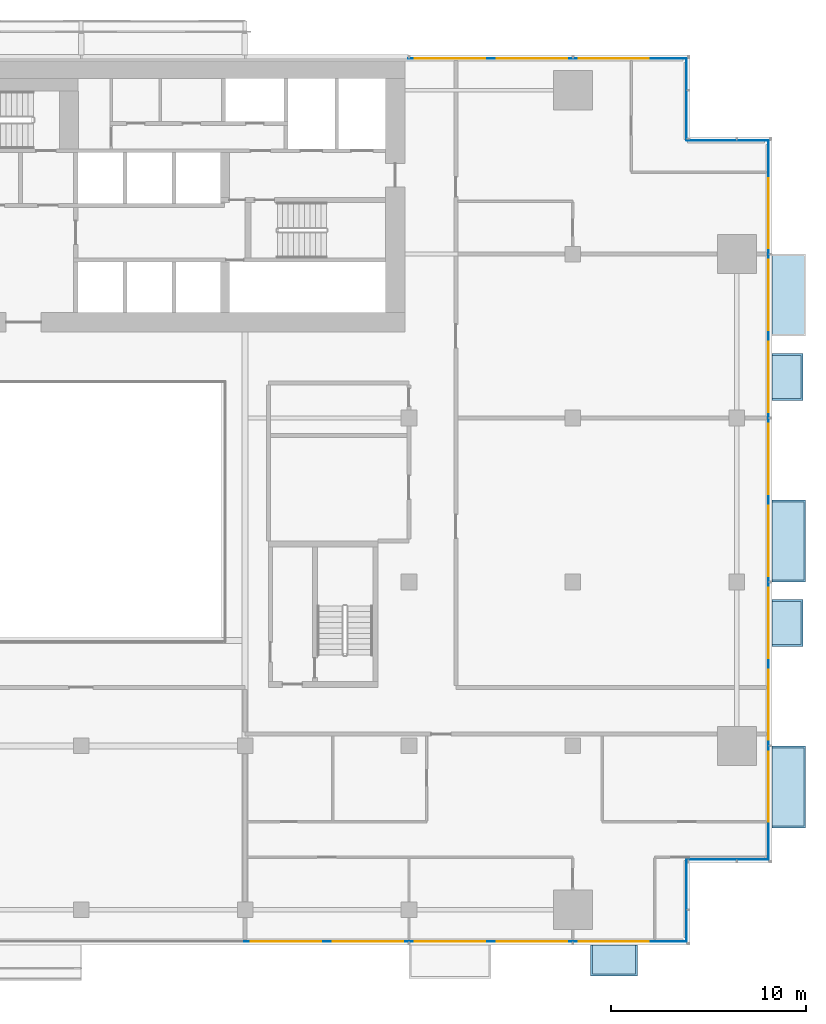
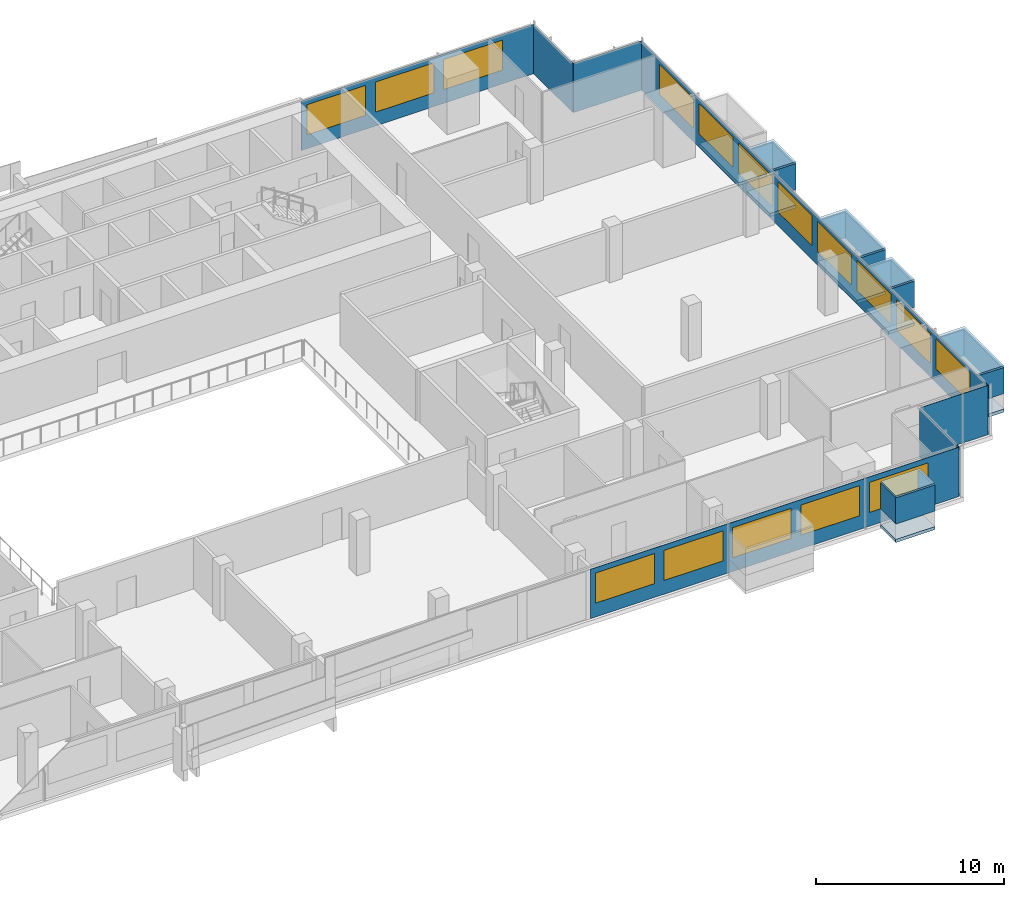
# One storey, part 16 of 26: 17 plates, 16 windows, 6 slabs, 16 openings, 7 elements without a shape of their own.
"""IFC4 building model written with IfcOpenShell, lengths in metres."""

from ifc_helpers import new_model, si_unit, direction, frame, frame_2d, origin, place, context, subcontext, project, spatial, polyline, rectangle, outline, extrude, material, layer, layer_set, type_object, element, fill, aggregate, save


model = new_model("IFC4")

# Units and contexts
model_context = context("Model", 3, precision=1e-05, world=origin(), true_north=direction((0.0, 1.0)))
body_context = subcontext(model_context, "Body", "Model", "MODEL_VIEW")
ifc_project = project(units=[si_unit("LENGTHUNIT", "METRE"), si_unit("AREAUNIT", "SQUARE_METRE"), si_unit("VOLUMEUNIT", "CUBIC_METRE"), si_unit("PLANEANGLEUNIT", "RADIAN"), si_unit("MASSUNIT", "GRAM", prefix="KILO")], contexts=[model_context])

# Site, building, storey
site_placement = place(None, origin())
site = spatial("IfcSite", under=ifc_project, at=site_placement, CompositionType="ELEMENT")
building_placement = place(site_placement, origin())
building = spatial("IfcBuilding", under=site, at=building_placement, Name="Saffron Gate Tower", CompositionType="ELEMENT")
storey_placement = place(building_placement, frame((0.0, 0.0, 98.85009765625)))
storey = spatial("IfcBuildingStorey", under=building, at=storey_placement, Name="L22", CompositionType="ELEMENT", Elevation=98.85009765625)

# Curtain wall, plate, openings, windows
ifc_material_1 = material(Name="Aluminium, bronze anodised", Category="aluminium")
curtain_wall_type_1 = type_object("IfcCurtainWallType", Name="CWS1 curtain wall front facade", PredefinedType="NOTDEFINED", material=ifc_material_1)
curtain_wall_1_placement = place(storey_placement, origin())
curtain_wall_1 = element("IfcCurtainWall", 1, at=curtain_wall_1_placement, inside=storey, type_object=curtain_wall_type_1, Name="CWS1 run 1", PredefinedType="NOTDEFINED")
ifc_material_2 = material(Name="Fritted bronze-tinted laminated glass", Category="glass")
ifc_layer_1 = layer(ifc_material_2, 0.028076171875)
ifc_layer_set_1 = layer_set([ifc_layer_1], Name="CWS1 fixed glass")
plate_type_1 = type_object("IfcPlateType", Name="CWS1 fixed glass", PredefinedType="CURTAIN_PANEL", material=ifc_layer_set_1)
plate_1_placement = place(storey_placement, frame((100.169921875, 30.174072265625, 0.0), z_axis=(0.0, 0.0, 1.0), x_axis=(1.0, 0.0, 0.0)))
plate_1 = element("IfcPlate", 2, at=plate_1_placement, type_object=plate_type_1, Name="CWS1 glass panel", PredefinedType="CURTAIN_PANEL", context=body_context, shape_type="SweptSolid", body=[
    extrude(rectangle(XDim=22.64208984375, YDim=0.028076171875, at=frame_2d((11.321044921875, 0.0))), origin(), (0.0, 0.0, 1.0), 3.199951171875),
])
opening_1_placement = place(plate_1_placement, frame((0.330078125, 0.0, 0.89990234375)))
opening_1 = element("IfcOpeningElement", 3, at=opening_1_placement, cuts=plate_1, Name="Opening W1", PredefinedType="OPENING", context=body_context, shape_type="SweptSolid", body=[
    extrude(rectangle(XDim=3.60009765625, YDim=1.949951171875, at=frame_2d((1.800048828125, 0.97509765625))), frame((0.0, 0.02392578125, 0.0), z_axis=(0.0, -1.0, 0.0), x_axis=(1.0, 0.0, 0.0)), (0.0, 0.0, 1.0), 0.048095703125),
])
opening_2_placement = place(plate_1_placement, frame((4.530029296875, 0.0, 0.89990234375)))
opening_2 = element("IfcOpeningElement", 4, at=opening_2_placement, cuts=plate_1, Name="Opening W1", PredefinedType="OPENING", context=body_context, shape_type="SweptSolid", body=[
    extrude(rectangle(XDim=3.60009765625, YDim=1.949951171875, at=frame_2d((1.800048828125, 0.97509765625))), frame((0.0, 0.02392578125, 0.0), z_axis=(0.0, -1.0, 0.0), x_axis=(1.0, 0.0, 0.0)), (0.0, 0.0, 1.0), 0.048095703125),
])
opening_3_placement = place(plate_1_placement, frame((8.72998046875, 0.0, 0.89990234375)))
opening_3 = element("IfcOpeningElement", 5, at=opening_3_placement, cuts=plate_1, Name="Opening W1", PredefinedType="OPENING", context=body_context, shape_type="SweptSolid", body=[
    extrude(rectangle(XDim=3.60009765625, YDim=1.949951171875, at=frame_2d((1.800048828125, 0.97509765625))), frame((0.0, 0.02392578125, 0.0), z_axis=(0.0, -1.0, 0.0), x_axis=(1.0, 0.0, 0.0)), (0.0, 0.0, 1.0), 0.048095703125),
])
opening_4_placement = place(plate_1_placement, frame((12.929931640625, 0.0, 0.89990234375)))
opening_4 = element("IfcOpeningElement", 6, at=opening_4_placement, cuts=plate_1, Name="Opening W1", PredefinedType="OPENING", context=body_context, shape_type="SweptSolid", body=[
    extrude(rectangle(XDim=3.60009765625, YDim=1.949951171875, at=frame_2d((1.800048828125, 0.97509765625))), frame((0.0, 0.02392578125, 0.0), z_axis=(0.0, -1.0, 0.0), x_axis=(1.0, 0.0, 0.0)), (0.0, 0.0, 1.0), 0.048095703125),
])
opening_5_placement = place(plate_1_placement, frame((17.1298828125, 0.0, 0.89990234375)))
opening_5 = element("IfcOpeningElement", 7, at=opening_5_placement, cuts=plate_1, Name="Opening W1", PredefinedType="OPENING", context=body_context, shape_type="SweptSolid", body=[
    extrude(rectangle(XDim=3.60009765625, YDim=1.949951171875, at=frame_2d((1.800048828125, 0.97509765625))), frame((0.0, 0.02392578125, 0.0), z_axis=(0.0, -1.0, 0.0), x_axis=(1.0, 0.0, 0.0)), (0.0, 0.0, 1.0), 0.048095703125),
])
ifc_material_3 = material(Name="Fritted bronze-tinted laminated glass in bronze frame", Category="glass")
ifc_layer_2 = layer(ifc_material_3, 0.06005859375)
ifc_layer_set_2 = layer_set([ifc_layer_2], Name="W1 operable panel 3600x1950")
window_type = type_object("IfcWindowType", Name="W1 operable panel 3600x1950", PartitioningType="DOUBLE_PANEL_HORIZONTAL", PredefinedType="WINDOW", material=ifc_layer_set_2)
window_1_placement = place(opening_1_placement, origin())
window_1 = element("IfcWindow", 8, at=window_1_placement, type_object=window_type, Name="W1 operable panel", OverallHeight=1.949951171875, OverallWidth=3.60009765625, PartitioningType="SINGLE_PANEL", PredefinedType="WINDOW", context=body_context, shape_type="SweptSolid", body=[
    extrude(rectangle(XDim=3.60009765625, YDim=1.949951171875, at=frame_2d((1.800048828125, 0.97509765625))), frame((0.0, 0.013671875, 0.0), z_axis=(0.0, -1.0, 0.0), x_axis=(1.0, 0.0, 0.0)), (0.0, 0.0, 1.0), 0.027587890625),
])
fill(opening_1, window_1)
window_2_placement = place(opening_2_placement, origin())
window_2 = element("IfcWindow", 9, at=window_2_placement, type_object=window_type, Name="W1 operable panel", OverallHeight=1.949951171875, OverallWidth=3.60009765625, PartitioningType="SINGLE_PANEL", PredefinedType="WINDOW", context=body_context, shape_type="SweptSolid", body=[
    extrude(rectangle(XDim=3.60009765625, YDim=1.949951171875, at=frame_2d((1.800048828125, 0.97509765625))), frame((0.0, 0.013671875, 0.0), z_axis=(0.0, -1.0, 0.0), x_axis=(1.0, 0.0, 0.0)), (0.0, 0.0, 1.0), 0.027587890625),
])
fill(opening_2, window_2)
window_3_placement = place(opening_3_placement, origin())
window_3 = element("IfcWindow", 10, at=window_3_placement, type_object=window_type, Name="W1 operable panel", OverallHeight=1.949951171875, OverallWidth=3.60009765625, PartitioningType="SINGLE_PANEL", PredefinedType="WINDOW", context=body_context, shape_type="SweptSolid", body=[
    extrude(rectangle(XDim=3.60009765625, YDim=1.949951171875, at=frame_2d((1.800048828125, 0.97509765625))), frame((0.0, 0.013671875, 0.0), z_axis=(0.0, -1.0, 0.0), x_axis=(1.0, 0.0, 0.0)), (0.0, 0.0, 1.0), 0.027587890625),
])
fill(opening_3, window_3)
window_4_placement = place(opening_4_placement, origin())
window_4 = element("IfcWindow", 11, at=window_4_placement, type_object=window_type, Name="W1 operable panel", OverallHeight=1.949951171875, OverallWidth=3.60009765625, PartitioningType="SINGLE_PANEL", PredefinedType="WINDOW", context=body_context, shape_type="SweptSolid", body=[
    extrude(rectangle(XDim=3.60009765625, YDim=1.949951171875, at=frame_2d((1.800048828125, 0.97509765625))), frame((0.0, 0.013671875, 0.0), z_axis=(0.0, -1.0, 0.0), x_axis=(1.0, 0.0, 0.0)), (0.0, 0.0, 1.0), 0.027587890625),
])
fill(opening_4, window_4)
window_5_placement = place(opening_5_placement, origin())
window_5 = element("IfcWindow", 12, at=window_5_placement, type_object=window_type, Name="W1 operable panel", OverallHeight=1.949951171875, OverallWidth=3.60009765625, PartitioningType="SINGLE_PANEL", PredefinedType="WINDOW", context=body_context, shape_type="SweptSolid", body=[
    extrude(rectangle(XDim=3.60009765625, YDim=1.949951171875, at=frame_2d((1.800048828125, 0.97509765625))), frame((0.0, 0.013671875, 0.0), z_axis=(0.0, -1.0, 0.0), x_axis=(1.0, 0.0, 0.0)), (0.0, 0.0, 1.0), 0.027587890625),
])
fill(opening_5, window_5)
aggregate(curtain_wall_1, [plate_1, window_1, window_2, window_3, window_4, window_5])

curtain_wall_type_2 = type_object("IfcCurtainWallType", Name="CWS2 curtain wall side facades", PredefinedType="NOTDEFINED", material=ifc_material_1)
curtain_wall_2_placement = place(storey_placement, origin())
curtain_wall_2 = element("IfcCurtainWall", 13, at=curtain_wall_2_placement, inside=storey, type_object=curtain_wall_type_2, Name="CWS2 run 4", PredefinedType="NOTDEFINED")
ifc_layer_3 = layer(ifc_material_2, 0.028076171875)
ifc_layer_set_3 = layer_set([ifc_layer_3], Name="CWS2 fixed glass")
plate_type_2 = type_object("IfcPlateType", Name="CWS2 fixed glass", PredefinedType="CURTAIN_PANEL", material=ifc_layer_set_3)
plate_2_placement = place(storey_placement, frame((127.02587890625, 34.387939453125, 0.0), z_axis=(0.0, 0.0, 1.0), x_axis=(0.0, 1.0, 0.0)))
plate_2 = element("IfcPlate", 14, at=plate_2_placement, type_object=plate_type_2, Name="CWS2 glass panel", PredefinedType="CURTAIN_PANEL", context=body_context, shape_type="SweptSolid", body=[
    extrude(rectangle(XDim=36.823974609375, YDim=0.028076171875, at=frame_2d((18.412109375, 0.0))), origin(), (0.0, 0.0, 1.0), 3.199951171875),
])
opening_6_placement = place(plate_2_placement, frame((1.912109375, 0.0, 0.89990234375)))
opening_6 = element("IfcOpeningElement", 15, at=opening_6_placement, cuts=plate_2, Name="Opening W1", PredefinedType="OPENING", context=body_context, shape_type="SweptSolid", body=[
    extrude(rectangle(XDim=3.60009765625, YDim=1.949951171875, at=frame_2d((1.800048828125, 0.97509765625))), frame((0.0, 0.02392578125, 0.0), z_axis=(0.0, -1.0, 0.0), x_axis=(1.0, 0.0, 0.0)), (0.0, 0.0, 1.0), 0.048095703125),
])
opening_7_placement = place(plate_2_placement, frame((6.112060546875, 0.0, 0.89990234375)))
opening_7 = element("IfcOpeningElement", 16, at=opening_7_placement, cuts=plate_2, Name="Opening W1", PredefinedType="OPENING", context=body_context, shape_type="SweptSolid", body=[
    extrude(rectangle(XDim=3.60009765625, YDim=1.949951171875, at=frame_2d((1.800048828125, 0.97509765625))), frame((0.0, 0.02392578125, 0.0), z_axis=(0.0, -1.0, 0.0), x_axis=(1.0, 0.0, 0.0)), (0.0, 0.0, 1.0), 0.048095703125),
])
opening_8_placement = place(plate_2_placement, frame((10.31201171875, 0.0, 0.89990234375)))
opening_8 = element("IfcOpeningElement", 17, at=opening_8_placement, cuts=plate_2, Name="Opening W1", PredefinedType="OPENING", context=body_context, shape_type="SweptSolid", body=[
    extrude(rectangle(XDim=3.60009765625, YDim=1.949951171875, at=frame_2d((1.800048828125, 0.97509765625))), frame((0.0, 0.02392578125, 0.0), z_axis=(0.0, -1.0, 0.0), x_axis=(1.0, 0.0, 0.0)), (0.0, 0.0, 1.0), 0.048095703125),
])
opening_9_placement = place(plate_2_placement, frame((14.511962890625, 0.0, 0.89990234375)))
opening_9 = element("IfcOpeningElement", 18, at=opening_9_placement, cuts=plate_2, Name="Opening W1", PredefinedType="OPENING", context=body_context, shape_type="SweptSolid", body=[
    extrude(rectangle(XDim=3.60009765625, YDim=1.949951171875, at=frame_2d((1.800048828125, 0.97509765625))), frame((0.0, 0.02392578125, 0.0), z_axis=(0.0, -1.0, 0.0), x_axis=(1.0, 0.0, 0.0)), (0.0, 0.0, 1.0), 0.048095703125),
])
opening_10_placement = place(plate_2_placement, frame((18.7119140625, 0.0, 0.89990234375)))
opening_10 = element("IfcOpeningElement", 19, at=opening_10_placement, cuts=plate_2, Name="Opening W1", PredefinedType="OPENING", context=body_context, shape_type="SweptSolid", body=[
    extrude(rectangle(XDim=3.60009765625, YDim=1.949951171875, at=frame_2d((1.800048828125, 0.97509765625))), frame((0.0, 0.02392578125, 0.0), z_axis=(0.0, -1.0, 0.0), x_axis=(1.0, 0.0, 0.0)), (0.0, 0.0, 1.0), 0.048095703125),
])
opening_11_placement = place(plate_2_placement, frame((22.912109375, 0.0, 0.89990234375)))
opening_11 = element("IfcOpeningElement", 20, at=opening_11_placement, cuts=plate_2, Name="Opening W1", PredefinedType="OPENING", context=body_context, shape_type="SweptSolid", body=[
    extrude(rectangle(XDim=3.60009765625, YDim=1.949951171875, at=frame_2d((1.800048828125, 0.97509765625))), frame((0.0, 0.02392578125, 0.0), z_axis=(0.0, -1.0, 0.0), x_axis=(1.0, 0.0, 0.0)), (0.0, 0.0, 1.0), 0.048095703125),
])
opening_12_placement = place(plate_2_placement, frame((27.112060546875, 0.0, 0.89990234375)))
opening_12 = element("IfcOpeningElement", 21, at=opening_12_placement, cuts=plate_2, Name="Opening W1", PredefinedType="OPENING", context=body_context, shape_type="SweptSolid", body=[
    extrude(rectangle(XDim=3.60009765625, YDim=1.949951171875, at=frame_2d((1.800048828125, 0.97509765625))), frame((0.0, 0.02392578125, 0.0), z_axis=(0.0, -1.0, 0.0), x_axis=(1.0, 0.0, 0.0)), (0.0, 0.0, 1.0), 0.048095703125),
])
opening_13_placement = place(plate_2_placement, frame((31.31201171875, 0.0, 0.89990234375)))
opening_13 = element("IfcOpeningElement", 22, at=opening_13_placement, cuts=plate_2, Name="Opening W1", PredefinedType="OPENING", context=body_context, shape_type="SweptSolid", body=[
    extrude(rectangle(XDim=3.60009765625, YDim=1.949951171875, at=frame_2d((1.800048828125, 0.97509765625))), frame((0.0, 0.02392578125, 0.0), z_axis=(0.0, -1.0, 0.0), x_axis=(1.0, 0.0, 0.0)), (0.0, 0.0, 1.0), 0.048095703125),
])
window_6_placement = place(opening_6_placement, origin())
window_6 = element("IfcWindow", 23, at=window_6_placement, type_object=window_type, Name="W1 operable panel", OverallHeight=1.949951171875, OverallWidth=3.60009765625, PartitioningType="SINGLE_PANEL", PredefinedType="WINDOW", context=body_context, shape_type="SweptSolid", body=[
    extrude(rectangle(XDim=3.60009765625, YDim=1.949951171875, at=frame_2d((1.800048828125, 0.97509765625))), frame((0.0, 0.013671875, 0.0), z_axis=(0.0, -1.0, 0.0), x_axis=(1.0, 0.0, 0.0)), (0.0, 0.0, 1.0), 0.027587890625),
])
fill(opening_6, window_6)
window_7_placement = place(opening_7_placement, origin())
window_7 = element("IfcWindow", 24, at=window_7_placement, type_object=window_type, Name="W1 operable panel", OverallHeight=1.949951171875, OverallWidth=3.60009765625, PartitioningType="SINGLE_PANEL", PredefinedType="WINDOW", context=body_context, shape_type="SweptSolid", body=[
    extrude(rectangle(XDim=3.60009765625, YDim=1.949951171875, at=frame_2d((1.800048828125, 0.97509765625))), frame((0.0, 0.013671875, 0.0), z_axis=(0.0, -1.0, 0.0), x_axis=(1.0, 0.0, 0.0)), (0.0, 0.0, 1.0), 0.027587890625),
])
fill(opening_7, window_7)
window_8_placement = place(opening_8_placement, origin())
window_8 = element("IfcWindow", 25, at=window_8_placement, type_object=window_type, Name="W1 operable panel", OverallHeight=1.949951171875, OverallWidth=3.60009765625, PartitioningType="SINGLE_PANEL", PredefinedType="WINDOW", context=body_context, shape_type="SweptSolid", body=[
    extrude(rectangle(XDim=3.60009765625, YDim=1.949951171875, at=frame_2d((1.800048828125, 0.97509765625))), frame((0.0, 0.013671875, 0.0), z_axis=(0.0, -1.0, 0.0), x_axis=(1.0, 0.0, 0.0)), (0.0, 0.0, 1.0), 0.027587890625),
])
fill(opening_8, window_8)
window_9_placement = place(opening_9_placement, origin())
window_9 = element("IfcWindow", 26, at=window_9_placement, type_object=window_type, Name="W1 operable panel", OverallHeight=1.949951171875, OverallWidth=3.60009765625, PartitioningType="SINGLE_PANEL", PredefinedType="WINDOW", context=body_context, shape_type="SweptSolid", body=[
    extrude(rectangle(XDim=3.60009765625, YDim=1.949951171875, at=frame_2d((1.800048828125, 0.97509765625))), frame((0.0, 0.013671875, 0.0), z_axis=(0.0, -1.0, 0.0), x_axis=(1.0, 0.0, 0.0)), (0.0, 0.0, 1.0), 0.027587890625),
])
fill(opening_9, window_9)
window_10_placement = place(opening_10_placement, origin())
window_10 = element("IfcWindow", 27, at=window_10_placement, type_object=window_type, Name="W1 operable panel", OverallHeight=1.949951171875, OverallWidth=3.60009765625, PartitioningType="SINGLE_PANEL", PredefinedType="WINDOW", context=body_context, shape_type="SweptSolid", body=[
    extrude(rectangle(XDim=3.60009765625, YDim=1.949951171875, at=frame_2d((1.800048828125, 0.97509765625))), frame((0.0, 0.013671875, 0.0), z_axis=(0.0, -1.0, 0.0), x_axis=(1.0, 0.0, 0.0)), (0.0, 0.0, 1.0), 0.027587890625),
])
fill(opening_10, window_10)
window_11_placement = place(opening_11_placement, origin())
window_11 = element("IfcWindow", 28, at=window_11_placement, type_object=window_type, Name="W1 operable panel", OverallHeight=1.949951171875, OverallWidth=3.60009765625, PartitioningType="SINGLE_PANEL", PredefinedType="WINDOW", context=body_context, shape_type="SweptSolid", body=[
    extrude(rectangle(XDim=3.60009765625, YDim=1.949951171875, at=frame_2d((1.800048828125, 0.97509765625))), frame((0.0, 0.013671875, 0.0), z_axis=(0.0, -1.0, 0.0), x_axis=(1.0, 0.0, 0.0)), (0.0, 0.0, 1.0), 0.027587890625),
])
fill(opening_11, window_11)
window_12_placement = place(opening_12_placement, origin())
window_12 = element("IfcWindow", 29, at=window_12_placement, type_object=window_type, Name="W1 operable panel", OverallHeight=1.949951171875, OverallWidth=3.60009765625, PartitioningType="SINGLE_PANEL", PredefinedType="WINDOW", context=body_context, shape_type="SweptSolid", body=[
    extrude(rectangle(XDim=3.60009765625, YDim=1.949951171875, at=frame_2d((1.800048828125, 0.97509765625))), frame((0.0, 0.013671875, 0.0), z_axis=(0.0, -1.0, 0.0), x_axis=(1.0, 0.0, 0.0)), (0.0, 0.0, 1.0), 0.027587890625),
])
fill(opening_12, window_12)
window_13_placement = place(opening_13_placement, origin())
window_13 = element("IfcWindow", 30, at=window_13_placement, type_object=window_type, Name="W1 operable panel", OverallHeight=1.949951171875, OverallWidth=3.60009765625, PartitioningType="SINGLE_PANEL", PredefinedType="WINDOW", context=body_context, shape_type="SweptSolid", body=[
    extrude(rectangle(XDim=3.60009765625, YDim=1.949951171875, at=frame_2d((1.800048828125, 0.97509765625))), frame((0.0, 0.013671875, 0.0), z_axis=(0.0, -1.0, 0.0), x_axis=(1.0, 0.0, 0.0)), (0.0, 0.0, 1.0), 0.027587890625),
])
fill(opening_13, window_13)
aggregate(curtain_wall_2, [plate_2, window_6, window_7, window_8, window_9, window_10, window_11, window_12, window_13])

curtain_wall_type_3 = type_object("IfcCurtainWallType", Name="CWS3 curtain wall rear facade", PredefinedType="NOTDEFINED", material=ifc_material_1)
curtain_wall_3_placement = place(storey_placement, origin())
curtain_wall_3 = element("IfcCurtainWall", 31, at=curtain_wall_3_placement, inside=storey, type_object=curtain_wall_type_3, Name="CWS3 run 7", PredefinedType="NOTDEFINED")
ifc_material_4 = material(Name="Fritted grey-tinted laminated glass", Category="glass")
ifc_layer_4 = layer(ifc_material_4, 0.028076171875)
ifc_layer_set_4 = layer_set([ifc_layer_4], Name="CWS3 fixed glass")
plate_type_3 = type_object("IfcPlateType", Name="CWS3 fixed glass", PredefinedType="CURTAIN_PANEL", material=ifc_layer_set_4)
plate_3_placement = place(storey_placement, frame((122.81201171875, 75.426025390625, 0.0), z_axis=(0.0, 0.0, 1.0), x_axis=(-1.0, 0.0, 0.0)))
plate_3 = element("IfcPlate", 32, at=plate_3_placement, type_object=plate_type_3, Name="CWS3 glass panel", PredefinedType="CURTAIN_PANEL", context=body_context, shape_type="SweptSolid", body=[
    extrude(rectangle(XDim=14.2470703125, YDim=0.028076171875, at=frame_2d((7.12353515625, 0.0))), origin(), (0.0, 0.0, 1.0), 3.199951171875),
])
opening_14_placement = place(plate_3_placement, frame((1.912109375, 0.0, 0.89990234375)))
opening_14 = element("IfcOpeningElement", 33, at=opening_14_placement, cuts=plate_3, Name="Opening W1", PredefinedType="OPENING", context=body_context, shape_type="SweptSolid", body=[
    extrude(rectangle(XDim=3.60009765625, YDim=1.949951171875, at=frame_2d((1.800048828125, 0.97509765625))), frame((0.0, 0.02392578125, 0.0), z_axis=(0.0, -1.0, 0.0), x_axis=(1.0, 0.0, 0.0)), (0.0, 0.0, 1.0), 0.048095703125),
])
opening_15_placement = place(plate_3_placement, frame((6.112060546875, 0.0, 0.89990234375)))
opening_15 = element("IfcOpeningElement", 34, at=opening_15_placement, cuts=plate_3, Name="Opening W1", PredefinedType="OPENING", context=body_context, shape_type="SweptSolid", body=[
    extrude(rectangle(XDim=3.60009765625, YDim=1.949951171875, at=frame_2d((1.800048828125, 0.97509765625))), frame((0.0, 0.02392578125, 0.0), z_axis=(0.0, -1.0, 0.0), x_axis=(1.0, 0.0, 0.0)), (0.0, 0.0, 1.0), 0.048095703125),
])
opening_16_placement = place(plate_3_placement, frame((10.31201171875, 0.0, 0.89990234375)))
opening_16 = element("IfcOpeningElement", 35, at=opening_16_placement, cuts=plate_3, Name="Opening W1", PredefinedType="OPENING", context=body_context, shape_type="SweptSolid", body=[
    extrude(rectangle(XDim=3.60009765625, YDim=1.949951171875, at=frame_2d((1.800048828125, 0.97509765625))), frame((0.0, 0.02392578125, 0.0), z_axis=(0.0, -1.0, 0.0), x_axis=(1.0, 0.0, 0.0)), (0.0, 0.0, 1.0), 0.048095703125),
])
window_14_placement = place(opening_14_placement, origin())
window_14 = element("IfcWindow", 36, at=window_14_placement, type_object=window_type, Name="W1 operable panel", OverallHeight=1.949951171875, OverallWidth=3.60009765625, PartitioningType="SINGLE_PANEL", PredefinedType="WINDOW", context=body_context, shape_type="SweptSolid", body=[
    extrude(rectangle(XDim=3.60009765625, YDim=1.949951171875, at=frame_2d((1.800048828125, 0.97509765625))), frame((0.0, 0.013671875, 0.0), z_axis=(0.0, -1.0, 0.0), x_axis=(1.0, 0.0, 0.0)), (0.0, 0.0, 1.0), 0.027587890625),
])
fill(opening_14, window_14)
window_15_placement = place(opening_15_placement, origin())
window_15 = element("IfcWindow", 37, at=window_15_placement, type_object=window_type, Name="W1 operable panel", OverallHeight=1.949951171875, OverallWidth=3.60009765625, PartitioningType="SINGLE_PANEL", PredefinedType="WINDOW", context=body_context, shape_type="SweptSolid", body=[
    extrude(rectangle(XDim=3.60009765625, YDim=1.949951171875, at=frame_2d((1.800048828125, 0.97509765625))), frame((0.0, 0.013671875, 0.0), z_axis=(0.0, -1.0, 0.0), x_axis=(1.0, 0.0, 0.0)), (0.0, 0.0, 1.0), 0.027587890625),
])
fill(opening_15, window_15)
window_16_placement = place(opening_16_placement, origin())
window_16 = element("IfcWindow", 38, at=window_16_placement, type_object=window_type, Name="W1 operable panel", OverallHeight=1.949951171875, OverallWidth=3.60009765625, PartitioningType="SINGLE_PANEL", PredefinedType="WINDOW", context=body_context, shape_type="SweptSolid", body=[
    extrude(rectangle(XDim=3.60009765625, YDim=1.949951171875, at=frame_2d((1.800048828125, 0.97509765625))), frame((0.0, 0.013671875, 0.0), z_axis=(0.0, -1.0, 0.0), x_axis=(1.0, 0.0, 0.0)), (0.0, 0.0, 1.0), 0.027587890625),
])
fill(opening_16, window_16)
aggregate(curtain_wall_3, [plate_3, window_14, window_15, window_16])

# Curtain wall, plate
curtain_wall_type_4 = type_object("IfcCurtainWallType", Name="CWS4 curtain wall corner returns", PredefinedType="NOTDEFINED", material=ifc_material_1)
curtain_wall_4_placement = place(storey_placement, origin())
curtain_wall_4 = element("IfcCurtainWall", 39, at=curtain_wall_4_placement, inside=storey, type_object=curtain_wall_type_4, Name="CWS4 run 2", PredefinedType="NOTDEFINED")
ifc_layer_5 = layer(ifc_material_2, 0.028076171875)
ifc_layer_set_5 = layer_set([ifc_layer_5], Name="CWS4 fixed glass")
plate_type_4 = type_object("IfcPlateType", Name="CWS4 fixed glass", PredefinedType="CURTAIN_PANEL", material=ifc_layer_set_5)
plate_4_placement = place(storey_placement, frame((122.825927734375, 30.18798828125, 0.0), z_axis=(0.0, 0.0, 1.0), x_axis=(0.0, 1.0, 0.0)))
plate_4 = element("IfcPlate", 40, at=plate_4_placement, type_object=plate_type_4, Name="CWS4 glass panel", PredefinedType="CURTAIN_PANEL", context=body_context, shape_type="SweptSolid", body=[
    extrude(rectangle(XDim=4.172119140625, YDim=0.028076171875, at=frame_2d((2.0859375, 0.0))), origin(), (0.0, 0.0, 1.0), 3.199951171875),
])
aggregate(curtain_wall_4, [plate_4])

curtain_wall_5_placement = place(storey_placement, origin())
curtain_wall_5 = element("IfcCurtainWall", 41, at=curtain_wall_5_placement, inside=storey, type_object=curtain_wall_type_4, Name="CWS4 run 3", PredefinedType="NOTDEFINED")
plate_5_placement = place(storey_placement, frame((122.840087890625, 34.3740234375, 0.0), z_axis=(0.0, 0.0, 1.0), x_axis=(1.0, 0.0, 0.0)))
plate_5 = element("IfcPlate", 42, at=plate_5_placement, type_object=plate_type_4, Name="CWS4 glass panel", PredefinedType="CURTAIN_PANEL", context=body_context, shape_type="SweptSolid", body=[
    extrude(rectangle(XDim=4.171875, YDim=0.028076171875, at=frame_2d((2.0859375, 0.0))), origin(), (0.0, 0.0, 1.0), 3.199951171875),
])
aggregate(curtain_wall_5, [plate_5])

curtain_wall_6_placement = place(storey_placement, origin())
curtain_wall_6 = element("IfcCurtainWall", 43, at=curtain_wall_6_placement, inside=storey, type_object=curtain_wall_type_4, Name="CWS4 run 5", PredefinedType="NOTDEFINED")
plate_6_placement = place(storey_placement, frame((127.011962890625, 71.22607421875, 0.0), z_axis=(0.0, 0.0, 1.0), x_axis=(-1.0, 0.0, 0.0)))
plate_6 = element("IfcPlate", 44, at=plate_6_placement, type_object=plate_type_4, Name="CWS4 glass panel", PredefinedType="CURTAIN_PANEL", context=body_context, shape_type="SweptSolid", body=[
    extrude(rectangle(XDim=4.171875, YDim=0.028076171875, at=frame_2d((2.0859375, 0.0))), origin(), (0.0, 0.0, 1.0), 3.199951171875),
])
aggregate(curtain_wall_6, [plate_6])

curtain_wall_7_placement = place(storey_placement, origin())
curtain_wall_7 = element("IfcCurtainWall", 45, at=curtain_wall_7_placement, inside=storey, type_object=curtain_wall_type_4, Name="CWS4 run 6", PredefinedType="NOTDEFINED")
plate_7_placement = place(storey_placement, frame((122.825927734375, 71.239990234375, 0.0), z_axis=(0.0, 0.0, 1.0), x_axis=(0.0, 1.0, 0.0)))
plate_7 = element("IfcPlate", 46, at=plate_7_placement, type_object=plate_type_4, Name="CWS4 glass panel", PredefinedType="CURTAIN_PANEL", context=body_context, shape_type="SweptSolid", body=[
    extrude(rectangle(XDim=4.172119140625, YDim=0.028076171875, at=frame_2d((2.0859375, 0.0))), origin(), (0.0, 0.0, 1.0), 3.199951171875),
])
aggregate(curtain_wall_7, [plate_7])

# Slabs
ifc_material_5 = material(Name="Timber deck on bronze frame", Category="wood")
ifc_layer_6 = layer(ifc_material_5, 0.199951171875)
ifc_layer_set_6 = layer_set([ifc_layer_6], Name="WB1 box floor")
slab_type = type_object("IfcSlabType", Name="WB1 box floor", PredefinedType="FLOOR", material=ifc_layer_set_6)
slab_1_placement = place(storey_placement, frame((0.0, 0.0, -0.2001953125)))
element("IfcSlab", 47, at=slab_1_placement, inside=storey, type_object=slab_type, Name="WINDOW BOX floor", PredefinedType="FLOOR", context=body_context, shape_type="SweptSolid", body=[
    extrude(outline(polyline([(117.89990234375, 30.0), (120.300048828125, 30.0), (120.300048828125, 28.39990234375), (117.89990234375, 28.39990234375), (117.89990234375, 30.0)])), origin(), (0.0, 0.0, 1.0), 0.2001953125),
])
slab_2_placement = place(storey_placement, frame((0.0, 0.0, -0.2001953125)))
element("IfcSlab", 48, at=slab_2_placement, inside=storey, type_object=slab_type, Name="WINDOW BOX floor", PredefinedType="FLOOR", context=body_context, shape_type="SweptSolid", body=[
    extrude(outline(polyline([(127.199951171875, 36.0), (127.199951171875, 40.199951171875), (128.93310546875, 40.199951171875), (128.93310546875, 36.0), (127.199951171875, 36.0)])), origin(), (0.0, 0.0, 1.0), 0.2001953125),
])
slab_3_placement = place(storey_placement, frame((0.0, 0.0, -0.2001953125)))
element("IfcSlab", 49, at=slab_3_placement, inside=storey, type_object=slab_type, Name="WINDOW BOX floor", PredefinedType="FLOOR", context=body_context, shape_type="SweptSolid", body=[
    extrude(outline(polyline([(127.199951171875, 45.300048828125), (127.199951171875, 47.699951171875), (128.800048828125, 47.699951171875), (128.800048828125, 45.300048828125), (127.199951171875, 45.300048828125)])), origin(), (0.0, 0.0, 1.0), 0.2001953125),
])
slab_4_placement = place(storey_placement, frame((0.0, 0.0, -0.2001953125)))
element("IfcSlab", 50, at=slab_4_placement, inside=storey, type_object=slab_type, Name="WINDOW BOX floor", PredefinedType="FLOOR", context=body_context, shape_type="SweptSolid", body=[
    extrude(outline(polyline([(127.199951171875, 48.60009765625), (127.199951171875, 52.800048828125), (128.93310546875, 52.800048828125), (128.93310546875, 48.60009765625), (127.199951171875, 48.60009765625)])), origin(), (0.0, 0.0, 1.0), 0.2001953125),
])
slab_5_placement = place(storey_placement, frame((0.0, 0.0, -0.2001953125)))
element("IfcSlab", 51, at=slab_5_placement, inside=storey, type_object=slab_type, Name="WINDOW BOX floor", PredefinedType="FLOOR", context=body_context, shape_type="SweptSolid", body=[
    extrude(outline(polyline([(127.199951171875, 57.89990234375), (127.199951171875, 60.300048828125), (128.800048828125, 60.300048828125), (128.800048828125, 57.89990234375), (127.199951171875, 57.89990234375)])), origin(), (0.0, 0.0, 1.0), 0.2001953125),
])
slab_6_placement = place(storey_placement, frame((0.0, 0.0, -0.2001953125)))
element("IfcSlab", 52, at=slab_6_placement, inside=storey, type_object=slab_type, Name="WINDOW BOX floor", PredefinedType="FLOOR", context=body_context, shape_type="SweptSolid", body=[
    extrude(outline(polyline([(127.199951171875, 61.199951171875), (127.199951171875, 65.39990234375), (128.93310546875, 65.39990234375), (128.93310546875, 61.199951171875), (127.199951171875, 61.199951171875)])), origin(), (0.0, 0.0, 1.0), 0.2001953125),
])

# Plates
ifc_layer_7 = layer(ifc_material_1, 0.1201171875)
ifc_layer_set_7 = layer_set([ifc_layer_7], Name="WB2 box roof")
plate_type_5 = type_object("IfcPlateType", Name="WB2 box roof", PredefinedType="SHEET", material=ifc_layer_set_7)
plate_8_placement = place(storey_placement, frame((0.0, 0.0, 2.699951171875)))
element("IfcPlate", 53, at=plate_8_placement, inside=storey, type_object=plate_type_5, Name="WINDOW BOX roof", PredefinedType="SHEET", context=body_context, shape_type="SweptSolid", body=[
    extrude(outline(polyline([(117.89990234375, 30.0), (120.300048828125, 30.0), (120.300048828125, 28.39990234375), (117.89990234375, 28.39990234375), (117.89990234375, 30.0)])), origin(), (0.0, 0.0, 1.0), 0.119873046875),
])
plate_9_placement = place(storey_placement, frame((0.0, 0.0, 2.699951171875)))
element("IfcPlate", 54, at=plate_9_placement, inside=storey, type_object=plate_type_5, Name="WINDOW BOX roof", PredefinedType="SHEET", context=body_context, shape_type="SweptSolid", body=[
    extrude(outline(polyline([(127.199951171875, 36.0), (127.199951171875, 40.199951171875), (128.93310546875, 40.199951171875), (128.93310546875, 36.0), (127.199951171875, 36.0)])), origin(), (0.0, 0.0, 1.0), 0.119873046875),
])
plate_10_placement = place(storey_placement, frame((0.0, 0.0, 2.699951171875)))
element("IfcPlate", 55, at=plate_10_placement, inside=storey, type_object=plate_type_5, Name="WINDOW BOX roof", PredefinedType="SHEET", context=body_context, shape_type="SweptSolid", body=[
    extrude(outline(polyline([(127.199951171875, 45.300048828125), (127.199951171875, 47.699951171875), (128.800048828125, 47.699951171875), (128.800048828125, 45.300048828125), (127.199951171875, 45.300048828125)])), origin(), (0.0, 0.0, 1.0), 0.119873046875),
])
plate_11_placement = place(storey_placement, frame((0.0, 0.0, 2.699951171875)))
element("IfcPlate", 56, at=plate_11_placement, inside=storey, type_object=plate_type_5, Name="WINDOW BOX roof", PredefinedType="SHEET", context=body_context, shape_type="SweptSolid", body=[
    extrude(outline(polyline([(127.199951171875, 48.60009765625), (127.199951171875, 52.800048828125), (128.93310546875, 52.800048828125), (128.93310546875, 48.60009765625), (127.199951171875, 48.60009765625)])), origin(), (0.0, 0.0, 1.0), 0.119873046875),
])
plate_12_placement = place(storey_placement, frame((0.0, 0.0, 2.699951171875)))
element("IfcPlate", 57, at=plate_12_placement, inside=storey, type_object=plate_type_5, Name="WINDOW BOX roof", PredefinedType="SHEET", context=body_context, shape_type="SweptSolid", body=[
    extrude(outline(polyline([(127.199951171875, 57.89990234375), (127.199951171875, 60.300048828125), (128.800048828125, 60.300048828125), (128.800048828125, 57.89990234375), (127.199951171875, 57.89990234375)])), origin(), (0.0, 0.0, 1.0), 0.119873046875),
])
ifc_material_6 = material(Name="Clear low-iron laminated glass", Category="glass")
ifc_layer_8 = layer(ifc_material_6, 0.10009765625)
ifc_layer_set_8 = layer_set([ifc_layer_8], Name="WB6 box glazing")
plate_type_6 = type_object("IfcPlateType", Name="WB6 box glazing", PredefinedType="SHEET", material=ifc_layer_set_8)
plate_13_placement = place(storey_placement, frame((0.0, 0.0, 1.0)))
element("IfcPlate", 58, at=plate_13_placement, inside=storey, type_object=plate_type_6, Name="WINDOW BOX glazing", PredefinedType="SHEET", context=body_context, shape_type="SweptSolid", body=[
    extrude(outline(polyline([(117.89990234375, 30.0), (118.0, 30.0), (118.0, 28.5), (120.199951171875, 28.5), (120.199951171875, 30.0), (120.300048828125, 30.0), (120.300048828125, 28.39990234375), (117.89990234375, 28.39990234375), (117.89990234375, 30.0)])), origin(), (0.0, 0.0, 1.0), 1.699951171875),
])
plate_14_placement = place(storey_placement, frame((0.0, 0.0, 1.0)))
element("IfcPlate", 59, at=plate_14_placement, inside=storey, type_object=plate_type_6, Name="WINDOW BOX glazing", PredefinedType="SHEET", context=body_context, shape_type="SweptSolid", body=[
    extrude(outline(polyline([(127.199951171875, 36.0), (127.199951171875, 36.10009765625), (128.8330078125, 36.10009765625), (128.8330078125, 40.10009765625), (127.199951171875, 40.10009765625), (127.199951171875, 40.199951171875), (128.93310546875, 40.199951171875), (128.93310546875, 36.0), (127.199951171875, 36.0)])), origin(), (0.0, 0.0, 1.0), 1.699951171875),
])
plate_15_placement = place(storey_placement, frame((0.0, 0.0, 1.0)))
element("IfcPlate", 60, at=plate_15_placement, inside=storey, type_object=plate_type_6, Name="WINDOW BOX glazing", PredefinedType="SHEET", context=body_context, shape_type="SweptSolid", body=[
    extrude(outline(polyline([(127.199951171875, 45.300048828125), (127.199951171875, 45.39990234375), (128.699951171875, 45.39990234375), (128.699951171875, 47.60009765625), (127.199951171875, 47.60009765625), (127.199951171875, 47.699951171875), (128.800048828125, 47.699951171875), (128.800048828125, 45.300048828125), (127.199951171875, 45.300048828125)])), origin(), (0.0, 0.0, 1.0), 1.699951171875),
])
plate_16_placement = place(storey_placement, frame((0.0, 0.0, 1.0)))
element("IfcPlate", 61, at=plate_16_placement, inside=storey, type_object=plate_type_6, Name="WINDOW BOX glazing", PredefinedType="SHEET", context=body_context, shape_type="SweptSolid", body=[
    extrude(outline(polyline([(127.199951171875, 48.60009765625), (127.199951171875, 48.699951171875), (128.8330078125, 48.699951171875), (128.8330078125, 52.699951171875), (127.199951171875, 52.699951171875), (127.199951171875, 52.800048828125), (128.93310546875, 52.800048828125), (128.93310546875, 48.60009765625), (127.199951171875, 48.60009765625)])), origin(), (0.0, 0.0, 1.0), 1.699951171875),
])
plate_17_placement = place(storey_placement, frame((0.0, 0.0, 1.0)))
element("IfcPlate", 62, at=plate_17_placement, inside=storey, type_object=plate_type_6, Name="WINDOW BOX glazing", PredefinedType="SHEET", context=body_context, shape_type="SweptSolid", body=[
    extrude(outline(polyline([(127.199951171875, 57.89990234375), (127.199951171875, 58.0), (128.699951171875, 58.0), (128.699951171875, 60.199951171875), (127.199951171875, 60.199951171875), (127.199951171875, 60.300048828125), (128.800048828125, 60.300048828125), (128.800048828125, 57.89990234375), (127.199951171875, 57.89990234375)])), origin(), (0.0, 0.0, 1.0), 1.699951171875),
])

save(model, "model.ifc")
